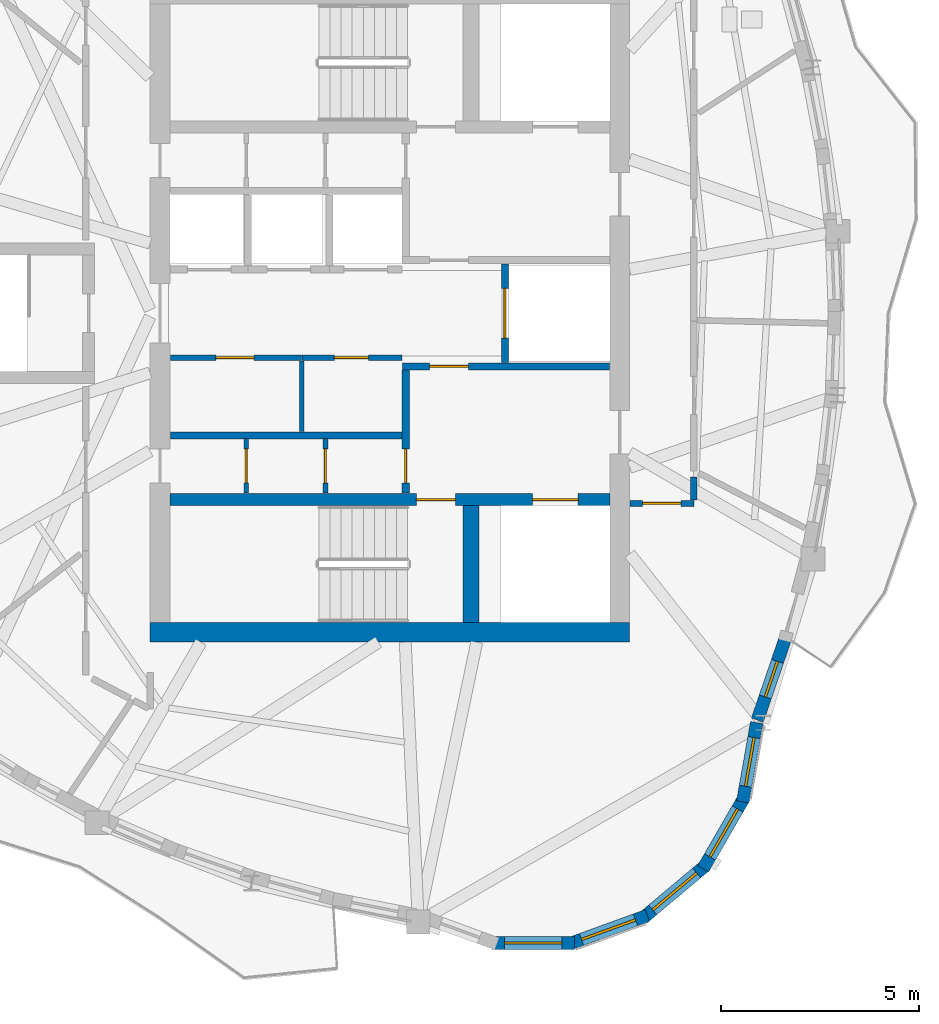
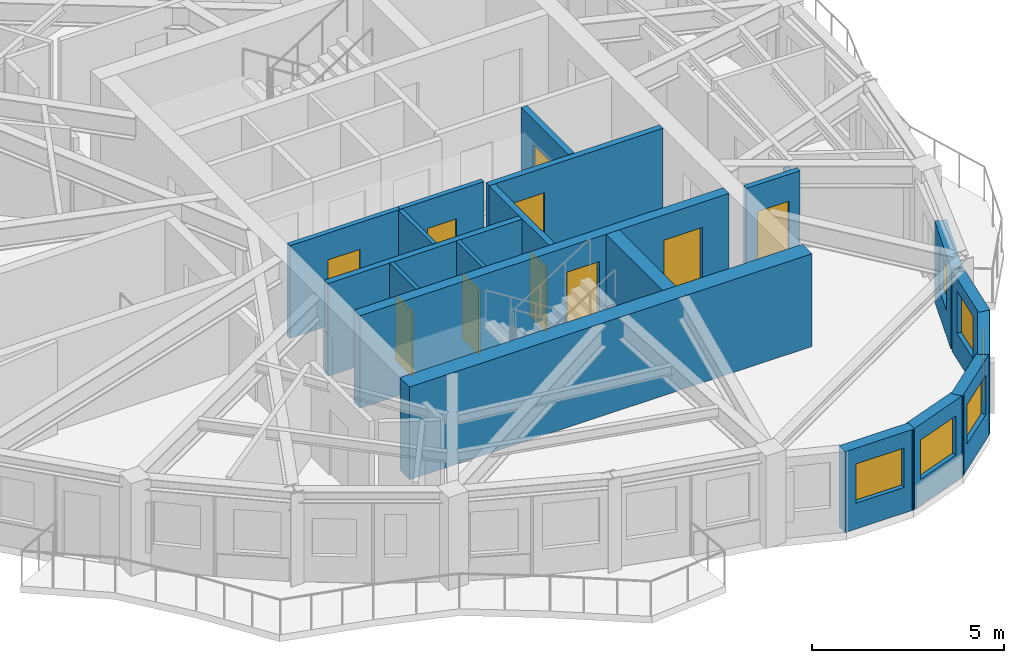
# One storey, part 4 of 12: 20 walls, 10 doors, 6 windows, 16 openings.
"""IFC4 building model written with IfcOpenShell, lengths in metres."""

from ifc_helpers import new_model, si_unit, direction, frame, frame_2d, origin, place, context, subcontext, project, spatial, rectangle, extrude, source, transform, mapped, material, layer, layer_set, type_object, element, fill, save


model = new_model("IFC4")

# Units and contexts
model_context = context("Model", 3, precision=1e-05, world=origin(), true_north=direction((0.0, 1.0)))
body_context = subcontext(model_context, "Body", "Model", "MODEL_VIEW")
ifc_project = project(units=[si_unit("LENGTHUNIT", "METRE"), si_unit("AREAUNIT", "SQUARE_METRE"), si_unit("VOLUMEUNIT", "CUBIC_METRE"), si_unit("PLANEANGLEUNIT", "RADIAN"), si_unit("MASSUNIT", "GRAM", prefix="KILO")], contexts=[model_context])

# Site, building, storey
site_placement = place(None, origin())
site = spatial("IfcSite", under=ifc_project, at=site_placement, CompositionType="ELEMENT")
building_placement = place(site_placement, origin())
building = spatial("IfcBuilding", under=site, at=building_placement, Name="Qafzar Sky-Pleat Residences", CompositionType="ELEMENT")
storey_placement = place(building_placement, frame((0.0, 0.0, 250.0)))
storey = spatial("IfcBuildingStorey", under=building, at=storey_placement, Name="L75", CompositionType="ELEMENT", Elevation=250.0)

# Wall, opening, door
ifc_material_1 = material(Name="Acoustic gypsum plasterboard partition", Category="gypsum")
ifc_layer_1 = layer(ifc_material_1, 0.159912109375)
ifc_layer_set_1 = layer_set([ifc_layer_1], Name="Acoustic gypsum plasterboard partition")
wall_type_1 = type_object("IfcWallType", Name="PART-COR-160", PredefinedType="PARTITIONING", material=ifc_layer_set_1)
wall_1_placement = place(storey_placement, frame((38.02001953125, 21.199951171875, 0.0), z_axis=(0.0, 0.0, 1.0), x_axis=(-1.0, 0.0, 0.0)))
wall_1 = element("IfcWall", 1, at=wall_1_placement, inside=storey, type_object=wall_type_1, Name="L75 Partition Wall PART-L75-PW-011", PredefinedType="PARTITIONING", context=body_context, shape_type="SweptSolid", body=[
    extrude(rectangle(XDim=1.612060546875, YDim=0.159912109375, at=frame_2d((0.80615234375, 0.0))), origin(), (0.0, 0.0, 1.0), 2.949951171875),
])
opening_1_placement = place(wall_1_placement, frame((0.330078125, 0.0, 0.0)))
opening_1 = element("IfcOpeningElement", 2, at=opening_1_placement, cuts=wall_1, Name="Opening ID-06", PredefinedType="OPENING", context=body_context, shape_type="SweptSolid", body=[
    extrude(rectangle(XDim=0.9599609375, YDim=2.10009765625, at=frame_2d((0.47998046875, 1.050048828125))), frame((0.0, 0.08984375, 0.0), z_axis=(0.0, -1.0, 0.0), x_axis=(1.0, 0.0, 0.0)), (0.0, 0.0, 1.0), 0.179931640625),
])
ifc_material_2 = material(Name="Timber-faced fire door", Category="wood")
door_type_1 = type_object("IfcDoorType", Name="DR-STD-960", OperationType="NOTDEFINED", PredefinedType="DOOR", material=ifc_material_2)
shared_shape_1 = source(origin(), body_context, "Body", "SweptSolid", [
    extrude(rectangle(XDim=0.9599609375, YDim=2.10009765625, at=frame_2d((0.47998046875, 1.050048828125))), frame((0.0, 0.02490234375, 0.0), z_axis=(0.0, -1.0, 0.0), x_axis=(1.0, 0.0, 0.0)), (0.0, 0.0, 1.0), 0.050048828125),
])
door_1_placement = place(opening_1_placement, origin())
door_1 = element("IfcDoor", 3, at=door_1_placement, inside=storey, type_object=door_type_1, Name="L75 Academic Seminar Room Door", OperationType="SINGLE_SWING_LEFT", OverallHeight=2.10009765625, OverallWidth=0.9599609375, PredefinedType="DOOR", context=body_context, shape_type="MappedRepresentation", body=[
    mapped(shared_shape_1, transform((0.0, 0.0, 0.0), x_axis=(1.0, 0.0, 0.0), y_axis=(0.0, 1.0, 0.0), z_axis=(0.0, 0.0, 1.0), scale=1.0)),
])
fill(opening_1, door_1)

# Wall
wall_2_placement = place(storey_placement, frame((38.02001953125, 21.2880859375, 0.0), z_axis=(0.0, 0.0, 1.0), x_axis=(0.0, 1.0, 0.0)))
element("IfcWall", 4, at=wall_2_placement, inside=storey, type_object=wall_type_1, Name="L75 Partition Wall PART-L75-PW-029", PredefinedType="PARTITIONING", context=body_context, shape_type="SweptSolid", body=[
    extrude(rectangle(XDim=0.58203125, YDim=0.159912109375, at=frame_2d((0.291015625, 0.0))), origin(), (0.0, 0.0, 1.0), 2.617919921875),
])

# Wall, opening, door
ifc_material_3 = material(Name="Concrete blockwork partition", Category="masonry")
ifc_layer_2 = layer(ifc_material_3, 0.179931640625)
ifc_layer_set_2 = layer_set([ifc_layer_2], Name="Concrete blockwork partition")
wall_type_2 = type_object("IfcWallType", Name="PART-SHAFT-180", PredefinedType="PARTITIONING", material=ifc_layer_set_2)
wall_3_placement = place(storey_placement, frame((30.75, 21.4599609375, 0.0), z_axis=(0.0, 0.0, 1.0), x_axis=(0.0, 1.0, 0.0)))
wall_3 = element("IfcWall", 5, at=wall_3_placement, inside=storey, type_object=wall_type_2, Name="L75 Partition Wall PART-L75-FFL1-W", PredefinedType="PARTITIONING", context=body_context, shape_type="SweptSolid", body=[
    extrude(rectangle(XDim=3.110107421875, YDim=0.179931640625, at=frame_2d((1.55517578125, 0.0))), origin(), (0.0, 0.0, 1.0), 2.949951171875),
])
opening_2_placement = place(wall_3_placement, frame((0.260009765625, 0.0, 0.0)))
opening_2 = element("IfcOpeningElement", 6, at=opening_2_placement, cuts=wall_3, Name="Opening ID-09", PredefinedType="OPENING", context=body_context, shape_type="SweptSolid", body=[
    extrude(rectangle(XDim=0.860107421875, YDim=2.050048828125, at=frame_2d((0.43017578125, 1.02490234375))), frame((0.0, 0.10009765625, 0.0), z_axis=(0.0, -1.0, 0.0), x_axis=(1.0, 0.0, 0.0)), (0.0, 0.0, 1.0), 0.199951171875),
])
door_type_2 = type_object("IfcDoorType", Name="DR-SVC-860", OperationType="NOTDEFINED", PredefinedType="DOOR", material=ifc_material_2)
shared_shape_2 = source(origin(), body_context, "Body", "SweptSolid", [
    extrude(rectangle(XDim=0.860107421875, YDim=2.050048828125, at=frame_2d((0.43017578125, 1.02490234375))), frame((0.0, 0.02490234375, 0.0), z_axis=(0.0, -1.0, 0.0), x_axis=(1.0, 0.0, 0.0)), (0.0, 0.0, 1.0), 0.050048828125),
])
door_2_placement = place(opening_2_placement, origin())
door_2 = element("IfcDoor", 7, at=door_2_placement, inside=storey, type_object=door_type_2, Name="L75 South Core Cupboard Door", OperationType="SINGLE_SWING_RIGHT", OverallHeight=2.050048828125, OverallWidth=0.860107421875, PredefinedType="DOOR", context=body_context, shape_type="MappedRepresentation", body=[
    mapped(shared_shape_2, transform((0.0, 0.0, 0.0), x_axis=(1.0, 0.0, 0.0), y_axis=(0.0, 1.0, 0.0), z_axis=(0.0, 0.0, 1.0), scale=1.0)),
])
fill(opening_2, door_2)

wall_4_placement = place(storey_placement, frame((30.669921875, 24.659912109375, 0.0), z_axis=(0.0, 0.0, 1.0), x_axis=(1.0, 0.0, 0.0)))
wall_4 = element("IfcWall", 8, at=wall_4_placement, inside=storey, type_object=wall_type_2, Name="L75 Partition Wall PART-L75-FFL1-N", PredefinedType="PARTITIONING", context=body_context, shape_type="SweptSolid", body=[
    extrude(rectangle(XDim=5.219970703125, YDim=0.179931640625, at=frame_2d((2.60986328125, 0.0))), origin(), (0.0, 0.0, 1.0), 2.949951171875),
])
opening_3_placement = place(wall_4_placement, frame((0.679931640625, 0.0, 0.0)))
opening_3 = element("IfcOpeningElement", 9, at=opening_3_placement, cuts=wall_4, Name="Opening ID-01", PredefinedType="OPENING", context=body_context, shape_type="SweptSolid", body=[
    extrude(rectangle(XDim=0.97998046875, YDim=2.14990234375, at=frame_2d((0.489990234375, 1.074951171875))), frame((0.0, 0.10009765625, 0.0), z_axis=(0.0, -1.0, 0.0), x_axis=(1.0, 0.0, 0.0)), (0.0, 0.0, 1.0), 0.199951171875),
])
door_type_3 = type_object("IfcDoorType", Name="DR-STAIR-980", OperationType="NOTDEFINED", PredefinedType="DOOR", material=ifc_material_2)
shared_shape_3 = source(origin(), body_context, "Body", "SweptSolid", [
    extrude(rectangle(XDim=0.97998046875, YDim=2.14990234375, at=frame_2d((0.489990234375, 1.074951171875))), frame((0.0, 0.02490234375, 0.0), z_axis=(0.0, -1.0, 0.0), x_axis=(1.0, 0.0, 0.0)), (0.0, 0.0, 1.0), 0.050048828125),
])
door_3_placement = place(opening_3_placement, origin())
door_3 = element("IfcDoor", 10, at=door_3_placement, inside=storey, type_object=door_type_3, Name="L75 Lift Lobby to South Firefighting Lobby Door", OperationType="SINGLE_SWING_LEFT", OverallHeight=2.14990234375, OverallWidth=0.97998046875, PredefinedType="DOOR", context=body_context, shape_type="MappedRepresentation", body=[
    mapped(shared_shape_3, transform((0.0, 0.0, 0.0), x_axis=(1.0, 0.0, 0.0), y_axis=(0.0, 1.0, 0.0), z_axis=(0.0, 0.0, 1.0), scale=1.0)),
])
fill(opening_3, door_3)

wall_5_placement = place(storey_placement, frame((33.25, 24.760009765625, 0.0), z_axis=(0.0, 0.0, 1.0), x_axis=(0.0, 1.0, 0.0)))
wall_5 = element("IfcWall", 11, at=wall_5_placement, inside=storey, type_object=wall_type_2, Name="L75 Partition Wall PART-L75-SV1-W", PredefinedType="PARTITIONING", context=body_context, shape_type="SweptSolid", body=[
    extrude(rectangle(XDim=2.47998046875, YDim=0.179931640625, at=frame_2d((1.239990234375, 0.0))), origin(), (0.0, 0.0, 1.0), 2.949951171875),
])
opening_4_placement = place(wall_5_placement, frame((0.614990234375, 0.0, 0.0)))
opening_4 = element("IfcOpeningElement", 12, at=opening_4_placement, cuts=wall_5, Name="Opening LD-03", PredefinedType="OPENING", context=body_context, shape_type="SweptSolid", body=[
    extrude(rectangle(XDim=1.25, YDim=2.14990234375, at=frame_2d((0.625, 1.074951171875))), frame((0.0, 0.10009765625, 0.0), z_axis=(0.0, -1.0, 0.0), x_axis=(1.0, 0.0, 0.0)), (0.0, 0.0, 1.0), 0.199951171875),
])
ifc_material_4 = material(Name="Stainless steel sliding landing door", Category="steel")
door_type_4 = type_object("IfcDoorType", Name="DR-LIFT-SV", OperationType="DOUBLE_DOOR_SLIDING", PredefinedType="DOOR", material=ifc_material_4)
shared_shape_4 = source(origin(), body_context, "Body", "SweptSolid", [
    extrude(rectangle(XDim=1.25, YDim=2.14990234375, at=frame_2d((0.625, 1.074951171875))), frame((0.0, 0.02490234375, 0.0), z_axis=(0.0, -1.0, 0.0), x_axis=(1.0, 0.0, 0.0)), (0.0, 0.0, 1.0), 0.050048828125),
])
door_4_placement = place(opening_4_placement, origin())
door_4 = element("IfcDoor", 13, at=door_4_placement, inside=storey, type_object=door_type_4, Name="L75 Service Lift SV1 Landing Door", OperationType="DOUBLE_DOOR_SLIDING", OverallHeight=2.14990234375, OverallWidth=1.25, PredefinedType="DOOR", context=body_context, shape_type="MappedRepresentation", body=[
    mapped(shared_shape_4, transform((0.0, 0.0, 0.0), x_axis=(1.0, 0.0, 0.0), y_axis=(0.0, 1.0, 0.0), z_axis=(0.0, 0.0, 1.0), scale=1.0)),
])
fill(opening_4, door_4)

# Walls
wall_6_placement = place(storey_placement, frame((24.81005859375, 22.919921875, 0.0), z_axis=(0.0, 0.0, 1.0), x_axis=(1.0, 0.0, 0.0)))
element("IfcWall", 14, at=wall_6_placement, inside=storey, type_object=wall_type_2, Name="L75 Partition Wall PART-L75-P13-S", PredefinedType="PARTITIONING", context=body_context, shape_type="SweptSolid", body=[
    extrude(rectangle(XDim=5.83984375, YDim=0.179931640625, at=frame_2d((2.919921875, 0.0))), origin(), (0.0, 0.0, 1.0), 2.949951171875),
])
ifc_material_5 = material(Name="Gypsum plasterboard partition", Category="gypsum")
ifc_layer_3 = layer(ifc_material_5, 0.114990234375)
ifc_layer_set_3 = layer_set([ifc_layer_3], Name="Gypsum plasterboard partition")
wall_type_3 = type_object("IfcWallType", Name="PART-SVC-115", PredefinedType="PARTITIONING", material=ifc_layer_set_3)
wall_7_placement = place(storey_placement, frame((28.125, 23.02001953125, 0.0), z_axis=(0.0, 0.0, 1.0), x_axis=(0.0, 1.0, 0.0)))
element("IfcWall", 15, at=wall_7_placement, inside=storey, type_object=wall_type_3, Name="L75 Partition Wall PART-L75-RECLAIM-DIV", PredefinedType="PARTITIONING", context=body_context, shape_type="SweptSolid", body=[
    extrude(rectangle(XDim=1.77001953125, YDim=0.114990234375, at=frame_2d((0.885009765625, 0.0))), origin(), (0.0, 0.0, 1.0), 2.949951171875),
])

# Wall, opening, door
wall_8_placement = place(storey_placement, frame((26.72509765625, 21.4599609375, 0.0), z_axis=(0.0, 0.0, 1.0), x_axis=(0.0, 1.0, 0.0)))
wall_8 = element("IfcWall", 16, at=wall_8_placement, inside=storey, type_object=wall_type_3, Name="L75 Partition Wall PART-L75-KC-SW-1", PredefinedType="PARTITIONING", context=body_context, shape_type="SweptSolid", body=[
    extrude(rectangle(XDim=1.380126953125, YDim=0.114990234375, at=frame_2d((0.68994140625, 0.0))), origin(), (0.0, 0.0, 1.0), 2.949951171875),
])
opening_5_placement = place(wall_8_placement, frame((0.260009765625, 0.0, 0.0)))
opening_5 = element("IfcOpeningElement", 17, at=opening_5_placement, cuts=wall_8, Name="Opening ID-09", PredefinedType="OPENING", context=body_context, shape_type="SweptSolid", body=[
    extrude(rectangle(XDim=0.860107421875, YDim=2.050048828125, at=frame_2d((0.43017578125, 1.02490234375))), frame((0.0, 0.0673828125, 0.0), z_axis=(0.0, -1.0, 0.0), x_axis=(1.0, 0.0, 0.0)), (0.0, 0.0, 1.0), 0.135009765625),
])
door_5_placement = place(opening_5_placement, origin())
door_5 = element("IfcDoor", 18, at=door_5_placement, inside=storey, type_object=door_type_2, Name="L75 Core South Cupboard 1 Door", OperationType="SINGLE_SWING_RIGHT", OverallHeight=2.050048828125, OverallWidth=0.860107421875, PredefinedType="DOOR", context=body_context, shape_type="MappedRepresentation", body=[
    mapped(shared_shape_2, transform((0.0, 0.0, 0.0), x_axis=(1.0, 0.0, 0.0), y_axis=(0.0, 1.0, 0.0), z_axis=(0.0, 0.0, 1.0), scale=1.0)),
])
fill(opening_5, door_5)

wall_9_placement = place(storey_placement, frame((28.72509765625, 21.4599609375, 0.0), z_axis=(0.0, 0.0, 1.0), x_axis=(0.0, 1.0, 0.0)))
wall_9 = element("IfcWall", 19, at=wall_9_placement, inside=storey, type_object=wall_type_3, Name="L75 Partition Wall PART-L75-KC-SW-2", PredefinedType="PARTITIONING", context=body_context, shape_type="SweptSolid", body=[
    extrude(rectangle(XDim=1.380126953125, YDim=0.114990234375, at=frame_2d((0.68994140625, 0.0))), origin(), (0.0, 0.0, 1.0), 2.949951171875),
])
opening_6_placement = place(wall_9_placement, frame((0.260009765625, 0.0, 0.0)))
opening_6 = element("IfcOpeningElement", 20, at=opening_6_placement, cuts=wall_9, Name="Opening ID-09", PredefinedType="OPENING", context=body_context, shape_type="SweptSolid", body=[
    extrude(rectangle(XDim=0.860107421875, YDim=2.050048828125, at=frame_2d((0.43017578125, 1.02490234375))), frame((0.0, 0.0673828125, 0.0), z_axis=(0.0, -1.0, 0.0), x_axis=(1.0, 0.0, 0.0)), (0.0, 0.0, 1.0), 0.135009765625),
])
door_6_placement = place(opening_6_placement, origin())
door_6 = element("IfcDoor", 21, at=door_6_placement, inside=storey, type_object=door_type_2, Name="L75 Core South Cupboard 2 Door", OperationType="SINGLE_SWING_RIGHT", OverallHeight=2.050048828125, OverallWidth=0.860107421875, PredefinedType="DOOR", context=body_context, shape_type="MappedRepresentation", body=[
    mapped(shared_shape_2, transform((0.0, 0.0, 0.0), x_axis=(1.0, 0.0, 0.0), y_axis=(0.0, 1.0, 0.0), z_axis=(0.0, 0.0, 1.0), scale=1.0)),
])
fill(opening_6, door_6)

ifc_layer_4 = layer(ifc_material_1, 0.14501953125)
ifc_layer_set_4 = layer_set([ifc_layer_4], Name="Acoustic gypsum plasterboard partition")
wall_type_4 = type_object("IfcWallType", Name="PART-UNIT-145", PredefinedType="PARTITIONING", material=ifc_layer_set_4)
wall_10_placement = place(storey_placement, frame((24.81005859375, 24.8798828125, 0.0), z_axis=(0.0, 0.0, 1.0), x_axis=(1.0, 0.0, 0.0)))
wall_10 = element("IfcWall", 22, at=wall_10_placement, inside=storey, type_object=wall_type_4, Name="L75 Partition Wall PART-L75-RECLAIM-N1", PredefinedType="PARTITIONING", context=body_context, shape_type="SweptSolid", body=[
    extrude(rectangle(XDim=3.31005859375, YDim=0.14501953125, at=frame_2d((1.655029296875, 0.0))), origin(), (0.0, 0.0, 1.0), 2.949951171875),
])
opening_7_placement = place(wall_10_placement, frame((1.14990234375, 0.0, 0.0)))
opening_7 = element("IfcOpeningElement", 23, at=opening_7_placement, cuts=wall_10, Name="Opening ID-06", PredefinedType="OPENING", context=body_context, shape_type="SweptSolid", body=[
    extrude(rectangle(XDim=0.9599609375, YDim=2.10009765625, at=frame_2d((0.47998046875, 1.050048828125))), frame((0.0, 0.08251953125, 0.0), z_axis=(0.0, -1.0, 0.0), x_axis=(1.0, 0.0, 0.0)), (0.0, 0.0, 1.0), 0.1650390625),
])
door_7_placement = place(opening_7_placement, origin())
door_7 = element("IfcDoor", 24, at=door_7_placement, inside=storey, type_object=door_type_1, Name="L75 Reclaimed Quiet Study Room Door", OperationType="SINGLE_SWING_RIGHT", OverallHeight=2.10009765625, OverallWidth=0.9599609375, PredefinedType="DOOR", context=body_context, shape_type="MappedRepresentation", body=[
    mapped(shared_shape_1, transform((0.0, 0.0, 0.0), x_axis=(1.0, 0.0, 0.0), y_axis=(0.0, 1.0, 0.0), z_axis=(0.0, 0.0, 1.0), scale=1.0)),
])
fill(opening_7, door_7)

wall_11_placement = place(storey_placement, frame((28.1298828125, 24.8798828125, 0.0), z_axis=(0.0, 0.0, 1.0), x_axis=(1.0, 0.0, 0.0)))
wall_11 = element("IfcWall", 25, at=wall_11_placement, inside=storey, type_object=wall_type_4, Name="L75 Partition Wall PART-L75-RECLAIM-N2", PredefinedType="PARTITIONING", context=body_context, shape_type="SweptSolid", body=[
    extrude(rectangle(XDim=2.52001953125, YDim=0.14501953125, at=frame_2d((1.260009765625, 0.0))), origin(), (0.0, 0.0, 1.0), 2.949951171875),
])
opening_8_placement = place(wall_11_placement, frame((0.820068359375, 0.0, 0.0)))
opening_8 = element("IfcOpeningElement", 26, at=opening_8_placement, cuts=wall_11, Name="Opening ID-09", PredefinedType="OPENING", context=body_context, shape_type="SweptSolid", body=[
    extrude(rectangle(XDim=0.860107421875, YDim=2.050048828125, at=frame_2d((0.43017578125, 1.02490234375))), frame((0.0, 0.08251953125, 0.0), z_axis=(0.0, -1.0, 0.0), x_axis=(1.0, 0.0, 0.0)), (0.0, 0.0, 1.0), 0.1650390625),
])
door_8_placement = place(opening_8_placement, origin())
door_8 = element("IfcDoor", 27, at=door_8_placement, inside=storey, type_object=door_type_2, Name="L75 Reclaimed Linen Cupboard Door", OperationType="SINGLE_SWING_LEFT", OverallHeight=2.050048828125, OverallWidth=0.860107421875, PredefinedType="DOOR", context=body_context, shape_type="MappedRepresentation", body=[
    mapped(shared_shape_2, transform((0.0, 0.0, 0.0), x_axis=(1.0, 0.0, 0.0), y_axis=(0.0, 1.0, 0.0), z_axis=(0.0, 0.0, 1.0), scale=1.0)),
])
fill(opening_8, door_8)

# Wall, opening, window
ifc_material_6 = material(Name="Precast concrete C40/50 with honed Riyadh limestone", Category="concrete")
ifc_layer_5 = layer(ifc_material_6, 0.320068359375)
ifc_layer_set_5 = layer_set([ifc_layer_5], Name="Precast concrete C40/50 with honed Riyadh limestone")
wall_type_5 = type_object("IfcWallType", Name="WALL-EXT-320", PredefinedType="SOLIDWALL", material=ifc_layer_set_5)
wall_12_placement = place(storey_placement, frame((32.92236328125, 10.112060546875, 0.0), z_axis=(0.0, 0.0, 1.0), x_axis=(1.0, 0.0, 0.0)))
wall_12 = element("IfcWall", 28, at=wall_12_placement, inside=storey, type_object=wall_type_5, Name="L75 Limestone Facade Wall 18", PredefinedType="SOLIDWALL", context=body_context, shape_type="SweptSolid", body=[
    extrude(rectangle(XDim=2.09033203125, YDim=0.320068359375, at=frame_2d((1.045166015625, 0.0))), origin(), (0.0, 0.0, 1.0), 2.570068359375),
])
opening_9_placement = place(wall_12_placement, frame((0.3203125, 0.0, 0.820068359375)))
opening_9 = element("IfcOpeningElement", 29, at=opening_9_placement, cuts=wall_12, Name="Opening WN-15", PredefinedType="OPENING", context=body_context, shape_type="SweptSolid", body=[
    extrude(rectangle(XDim=1.449951171875, YDim=1.25, at=frame_2d((0.72509765625, 0.625))), frame((0.0, 0.169921875, 0.0), z_axis=(0.0, -1.0, 0.0), x_axis=(1.0, 0.0, 0.0)), (0.0, 0.0, 1.0), 0.340087890625),
])
ifc_material_7 = material(Name="Solar-control low-E glass in bronze aluminium frame", Category="glass")
window_type_1 = type_object("IfcWindowType", Name="WIN-15", PartitioningType="SINGLE_PANEL", PredefinedType="WINDOW", material=ifc_material_7)
shared_shape_5 = source(origin(), body_context, "Body", "SweptSolid", [
    extrude(rectangle(XDim=1.449951171875, YDim=1.25, at=frame_2d((0.72509765625, 0.625))), frame((0.0, 0.030029296875, 0.0), z_axis=(0.0, -1.0, 0.0), x_axis=(1.0, 0.0, 0.0)), (0.0, 0.0, 1.0), 0.06005859375),
])
window_1_placement = place(opening_9_placement, origin())
window_1 = element("IfcWindow", 30, at=window_1_placement, inside=storey, type_object=window_type_1, Name="L75 Punched Facade Window 18", OverallHeight=1.25, OverallWidth=1.449951171875, PartitioningType="SINGLE_PANEL", PredefinedType="WINDOW", context=body_context, shape_type="MappedRepresentation", body=[
    mapped(shared_shape_5, transform((0.0, 0.0, 0.0), x_axis=(1.0, 0.0, 0.0), y_axis=(0.0, 1.0, 0.0), z_axis=(0.0, 0.0, 1.0), scale=1.0)),
])
fill(opening_9, window_1)

wall_13_placement = place(storey_placement, frame((34.88427734375, 10.089599609375, 0.0), z_axis=(0.0, 0.0, 1.0), x_axis=(0.93973543134, 0.341902499383, 0.0)))
wall_13 = element("IfcWall", 31, at=wall_13_placement, inside=storey, type_object=wall_type_5, Name="L75 Limestone Facade Wall 19", PredefinedType="SOLIDWALL", context=body_context, shape_type="SweptSolid", body=[
    extrude(rectangle(XDim=2.090087890625, YDim=0.320068359375, at=frame_2d((1.044921875, 0.0))), origin(), (0.0, 0.0, 1.0), 2.570068359375),
])
opening_10_placement = place(wall_13_placement, frame((0.320068359375, 0.0, 0.820068359375)))
opening_10 = element("IfcOpeningElement", 32, at=opening_10_placement, cuts=wall_13, Name="Opening WN-15", PredefinedType="OPENING", context=body_context, shape_type="SweptSolid", body=[
    extrude(rectangle(XDim=1.449951171875, YDim=1.25, at=frame_2d((0.72509765625, 0.625))), frame((0.0, 0.169921875, 0.0), z_axis=(0.0, -1.0, 0.0), x_axis=(1.0, 0.0, 0.0)), (0.0, 0.0, 1.0), 0.340087890625),
])
window_2_placement = place(opening_10_placement, origin())
window_2 = element("IfcWindow", 33, at=window_2_placement, inside=storey, type_object=window_type_1, Name="L75 Punched Facade Window 19", OverallHeight=1.25, OverallWidth=1.449951171875, PartitioningType="SINGLE_PANEL", PredefinedType="WINDOW", context=body_context, shape_type="MappedRepresentation", body=[
    mapped(shared_shape_5, transform((0.0, 0.0, 0.0), x_axis=(1.0, 0.0, 0.0), y_axis=(0.0, 1.0, 0.0), z_axis=(0.0, 0.0, 1.0), scale=1.0)),
])
fill(opening_10, window_2)

wall_14_placement = place(storey_placement, frame((36.735595703125, 10.739013671875, 0.0), z_axis=(0.0, 0.0, 1.0), x_axis=(0.766024572719, 0.642811289563, 0.0)))
wall_14 = element("IfcWall", 34, at=wall_14_placement, inside=storey, type_object=wall_type_5, Name="L75 Limestone Facade Wall 20", PredefinedType="SOLIDWALL", context=body_context, shape_type="SweptSolid", body=[
    extrude(rectangle(XDim=2.09033203125, YDim=0.320068359375, at=frame_2d((1.045166015625, 0.0))), origin(), (0.0, 0.0, 1.0), 2.570068359375),
])
opening_11_placement = place(wall_14_placement, frame((0.3203125, 0.0, 0.820068359375)))
opening_11 = element("IfcOpeningElement", 35, at=opening_11_placement, cuts=wall_14, Name="Opening WN-15", PredefinedType="OPENING", context=body_context, shape_type="SweptSolid", body=[
    extrude(rectangle(XDim=1.449951171875, YDim=1.25, at=frame_2d((0.72509765625, 0.625))), frame((0.0, 0.169921875, 0.0), z_axis=(0.0, -1.0, 0.0), x_axis=(1.0, 0.0, 0.0)), (0.0, 0.0, 1.0), 0.340087890625),
])
window_3_placement = place(opening_11_placement, origin())
window_3 = element("IfcWindow", 36, at=window_3_placement, inside=storey, type_object=window_type_1, Name="L75 Punched Facade Window 20", OverallHeight=1.25, OverallWidth=1.449951171875, PartitioningType="SINGLE_PANEL", PredefinedType="WINDOW", context=body_context, shape_type="MappedRepresentation", body=[
    mapped(shared_shape_5, transform((0.0, 0.0, 0.0), x_axis=(1.0, 0.0, 0.0), y_axis=(0.0, 1.0, 0.0), z_axis=(0.0, 0.0, 1.0), scale=1.0)),
])
fill(opening_11, window_3)

wall_15_placement = place(storey_placement, frame((38.2529296875, 11.98291015625, 0.0), z_axis=(0.0, 0.0, 1.0), x_axis=(0.499995423472, 0.866028046028, 0.0)))
wall_15 = element("IfcWall", 37, at=wall_15_placement, inside=storey, type_object=wall_type_5, Name="L75 Limestone Facade Wall 21", PredefinedType="SOLIDWALL", context=body_context, shape_type="SweptSolid", body=[
    extrude(rectangle(XDim=2.09033203125, YDim=0.320068359375, at=frame_2d((1.045166015625, 0.0))), origin(), (0.0, 0.0, 1.0), 2.570068359375),
])
opening_12_placement = place(wall_15_placement, frame((0.34521484375, 0.0, 0.820068359375)))
opening_12 = element("IfcOpeningElement", 38, at=opening_12_placement, cuts=wall_15, Name="Opening WN-10", PredefinedType="OPENING", context=body_context, shape_type="SweptSolid", body=[
    extrude(rectangle(XDim=1.39990234375, YDim=1.35009765625, at=frame_2d((0.699951171875, 0.675048828125))), frame((0.0, 0.169921875, 0.0), z_axis=(0.0, -1.0, 0.0), x_axis=(1.0, 0.0, 0.0)), (0.0, 0.0, 1.0), 0.340087890625),
])
window_type_2 = type_object("IfcWindowType", Name="WIN-10", PartitioningType="SINGLE_PANEL", PredefinedType="WINDOW", material=ifc_material_7)
shared_shape_6 = source(origin(), body_context, "Body", "SweptSolid", [
    extrude(rectangle(XDim=1.39990234375, YDim=1.35009765625, at=frame_2d((0.699951171875, 0.675048828125))), frame((0.0, 0.030029296875, 0.0), z_axis=(0.0, -1.0, 0.0), x_axis=(1.0, 0.0, 0.0)), (0.0, 0.0, 1.0), 0.06005859375),
])
window_4_placement = place(opening_12_placement, origin())
window_4 = element("IfcWindow", 39, at=window_4_placement, inside=storey, type_object=window_type_2, Name="L75 Punched Facade Window 21", OverallHeight=1.35009765625, OverallWidth=1.39990234375, PartitioningType="SINGLE_PANEL", PredefinedType="WINDOW", context=body_context, shape_type="MappedRepresentation", body=[
    mapped(shared_shape_6, transform((0.0, 0.0, 0.0), x_axis=(1.0, 0.0, 0.0), y_axis=(0.0, 1.0, 0.0), z_axis=(0.0, 0.0, 1.0), scale=1.0)),
])
fill(opening_12, window_4)

wall_16_placement = place(storey_placement, frame((39.25341796875, 13.670654296875, 0.0), z_axis=(0.0, 0.0, 1.0), x_axis=(0.17370309897, 0.984798067326, 0.0)))
wall_16 = element("IfcWall", 40, at=wall_16_placement, inside=storey, type_object=wall_type_5, Name="L75 Limestone Facade Wall 22", PredefinedType="SOLIDWALL", context=body_context, shape_type="SweptSolid", body=[
    extrude(rectangle(XDim=2.032470703125, YDim=0.320068359375, at=frame_2d((1.01611328125, 0.0))), origin(), (0.0, 0.0, 1.0), 2.570068359375),
])
opening_13_placement = place(wall_16_placement, frame((0.401123046875, 0.0, 0.820068359375)))
opening_13 = element("IfcOpeningElement", 41, at=opening_13_placement, cuts=wall_16, Name="Opening WN-11", PredefinedType="OPENING", context=body_context, shape_type="SweptSolid", body=[
    extrude(rectangle(XDim=1.25, YDim=1.35009765625, at=frame_2d((0.625, 0.675048828125))), frame((0.0, 0.169921875, 0.0), z_axis=(0.0, -1.0, 0.0), x_axis=(1.0, 0.0, 0.0)), (0.0, 0.0, 1.0), 0.340087890625),
])
window_type_3 = type_object("IfcWindowType", Name="WIN-11", PartitioningType="SINGLE_PANEL", PredefinedType="WINDOW", material=ifc_material_7)
shared_shape_7 = source(origin(), body_context, "Body", "SweptSolid", [
    extrude(rectangle(XDim=1.25, YDim=1.35009765625, at=frame_2d((0.625, 0.675048828125))), frame((0.0, 0.030029296875, 0.0), z_axis=(0.0, -1.0, 0.0), x_axis=(1.0, 0.0, 0.0)), (0.0, 0.0, 1.0), 0.06005859375),
])
window_5_placement = place(opening_13_placement, origin())
window_5 = element("IfcWindow", 42, at=window_5_placement, inside=storey, type_object=window_type_3, Name="L75 Punched Facade Window 22", OverallHeight=1.35009765625, OverallWidth=1.25, PartitioningType="SINGLE_PANEL", PredefinedType="WINDOW", context=body_context, shape_type="MappedRepresentation", body=[
    mapped(shared_shape_7, transform((0.0, 0.0, 0.0), x_axis=(1.0, 0.0, 0.0), y_axis=(0.0, 1.0, 0.0), z_axis=(0.0, 0.0, 1.0), scale=1.0)),
])
fill(opening_13, window_5)

wall_17_placement = place(storey_placement, frame((39.62255859375, 15.734619140625, 0.0), z_axis=(0.0, 0.0, 1.0), x_axis=(0.323632845992, 0.946182741861, 0.0)))
wall_17 = element("IfcWall", 43, at=wall_17_placement, inside=storey, type_object=wall_type_5, Name="L75 Limestone Facade Wall 23", PredefinedType="SOLIDWALL", context=body_context, shape_type="SweptSolid", body=[
    extrude(rectangle(XDim=2.202880859375, YDim=0.320068359375, at=frame_2d((1.1015625, 0.0))), origin(), (0.0, 0.0, 1.0), 2.570068359375),
])
opening_14_placement = place(wall_17_placement, frame((0.616455078125, 0.0, 0.820068359375)))
opening_14 = element("IfcOpeningElement", 44, at=opening_14_placement, cuts=wall_17, Name="Opening WN-12", PredefinedType="OPENING", context=body_context, shape_type="SweptSolid", body=[
    extrude(rectangle(XDim=0.949951171875, YDim=1.35009765625, at=frame_2d((0.47509765625, 0.675048828125))), frame((0.0, 0.169921875, 0.0), z_axis=(0.0, -1.0, 0.0), x_axis=(1.0, 0.0, 0.0)), (0.0, 0.0, 1.0), 0.340087890625),
])
window_type_4 = type_object("IfcWindowType", Name="WIN-12", PartitioningType="SINGLE_PANEL", PredefinedType="WINDOW", material=ifc_material_7)
shared_shape_8 = source(origin(), body_context, "Body", "SweptSolid", [
    extrude(rectangle(XDim=0.949951171875, YDim=1.35009765625, at=frame_2d((0.47509765625, 0.675048828125))), frame((0.0, 0.030029296875, 0.0), z_axis=(0.0, -1.0, 0.0), x_axis=(1.0, 0.0, 0.0)), (0.0, 0.0, 1.0), 0.06005859375),
])
window_6_placement = place(opening_14_placement, origin())
window_6 = element("IfcWindow", 45, at=window_6_placement, inside=storey, type_object=window_type_4, Name="L75 Punched Facade Window 23", OverallHeight=1.35009765625, OverallWidth=0.949951171875, PartitioningType="SINGLE_PANEL", PredefinedType="WINDOW", context=body_context, shape_type="MappedRepresentation", body=[
    mapped(shared_shape_8, transform((0.0, 0.0, 0.0), x_axis=(1.0, 0.0, 0.0), y_axis=(0.0, 1.0, 0.0), z_axis=(0.0, 0.0, 1.0), scale=1.0)),
])
fill(opening_14, window_6)

# Wall, openings, doors
ifc_material_8 = material(Name="Concrete C60/75", Category="concrete")
ifc_layer_6 = layer(ifc_material_8, 0.300048828125)
ifc_layer_set_6 = layer_set([ifc_layer_6], Name="Concrete C60/75")
wall_type_6 = type_object("IfcWallType", Name="WALL-SHEAR-300", PredefinedType="SHEAR", material=ifc_layer_set_6)
wall_18_placement = place(storey_placement, frame((24.800048828125, 21.300048828125, 0.0), z_axis=(0.0, 0.0, 1.0), x_axis=(1.0, 0.0, 0.0)))
wall_18 = element("IfcWall", 46, at=wall_18_placement, inside=storey, type_object=wall_type_6, Name="L75 Stair ST1 and FF1 Shaft North Wall", PredefinedType="SHEAR", context=body_context, shape_type="SweptSolid", body=[
    extrude(rectangle(XDim=11.099853515625, YDim=0.300048828125, at=frame_2d((5.5498046875, 0.0))), origin(), (0.0, 0.0, 1.0), 2.949951171875),
])
opening_15_placement = place(wall_18_placement, frame((6.219970703125, 0.0, 0.0)))
opening_15 = element("IfcOpeningElement", 47, at=opening_15_placement, cuts=wall_18, Name="Opening ID-01", PredefinedType="OPENING", context=body_context, shape_type="SweptSolid", body=[
    extrude(rectangle(XDim=0.97998046875, YDim=2.14990234375, at=frame_2d((0.489990234375, 1.074951171875))), frame((0.0, 0.16015625, 0.0), z_axis=(0.0, -1.0, 0.0), x_axis=(1.0, 0.0, 0.0)), (0.0, 0.0, 1.0), 0.320068359375),
])
opening_16_placement = place(wall_18_placement, frame((9.14990234375, 0.0, 0.0)))
opening_16 = element("IfcOpeningElement", 48, at=opening_16_placement, cuts=wall_18, Name="Opening LD-02", PredefinedType="OPENING", context=body_context, shape_type="SweptSolid", body=[
    extrude(rectangle(XDim=1.14990234375, YDim=2.14990234375, at=frame_2d((0.574951171875, 1.074951171875))), frame((0.0, 0.16015625, 0.0), z_axis=(0.0, -1.0, 0.0), x_axis=(1.0, 0.0, 0.0)), (0.0, 0.0, 1.0), 0.320068359375),
])
door_9_placement = place(opening_15_placement, origin())
door_9 = element("IfcDoor", 49, at=door_9_placement, inside=storey, type_object=door_type_3, Name="L75 Stair ST1 Fire Door", OperationType="SINGLE_SWING_LEFT", OverallHeight=2.14990234375, OverallWidth=0.97998046875, PredefinedType="DOOR", context=body_context, shape_type="MappedRepresentation", body=[
    mapped(shared_shape_3, transform((0.0, 0.0, 0.0), x_axis=(1.0, 0.0, 0.0), y_axis=(0.0, 1.0, 0.0), z_axis=(0.0, 0.0, 1.0), scale=1.0)),
])
fill(opening_15, door_9)
door_type_5 = type_object("IfcDoorType", Name="DR-LIFT-FF", OperationType="DOUBLE_DOOR_SLIDING", PredefinedType="DOOR", material=ifc_material_4)
shared_shape_9 = source(origin(), body_context, "Body", "SweptSolid", [
    extrude(rectangle(XDim=1.14990234375, YDim=2.14990234375, at=frame_2d((0.574951171875, 1.074951171875))), frame((0.0, 0.02490234375, 0.0), z_axis=(0.0, -1.0, 0.0), x_axis=(1.0, 0.0, 0.0)), (0.0, 0.0, 1.0), 0.050048828125),
])
door_10_placement = place(opening_16_placement, origin())
door_10 = element("IfcDoor", 50, at=door_10_placement, inside=storey, type_object=door_type_5, Name="L75 Firefighting Lift FF1 Landing Door", OperationType="DOUBLE_DOOR_SLIDING", OverallHeight=2.14990234375, OverallWidth=1.14990234375, PredefinedType="DOOR", context=body_context, shape_type="MappedRepresentation", body=[
    mapped(shared_shape_9, transform((0.0, 0.0, 0.0), x_axis=(1.0, 0.0, 0.0), y_axis=(0.0, 1.0, 0.0), z_axis=(0.0, 0.0, 1.0), scale=1.0)),
])
fill(opening_16, door_10)

# Walls
ifc_layer_7 = layer(ifc_material_8, 0.39990234375)
ifc_layer_set_7 = layer_set([ifc_layer_7], Name="Concrete C60/75")
wall_type_7 = type_object("IfcWallType", Name="WALL-SHEAR-400", PredefinedType="SHEAR", material=ifc_layer_set_7)
wall_19_placement = place(storey_placement, frame((32.39990234375, 18.199951171875, 0.0), z_axis=(0.0, 0.0, 1.0), x_axis=(0.0, 1.0, 0.0)))
element("IfcWall", 51, at=wall_19_placement, inside=storey, type_object=wall_type_7, Name="L75 Stair ST1 East Dividing Wall", PredefinedType="SHEAR", context=body_context, shape_type="SweptSolid", body=[
    extrude(rectangle(XDim=2.949951171875, YDim=0.39990234375, at=frame_2d((1.47509765625, 0.0))), origin(), (0.0, 0.0, 1.0), 2.949951171875),
])
ifc_layer_8 = layer(ifc_material_8, 0.5)
ifc_layer_set_8 = layer_set([ifc_layer_8], Name="Concrete C60/75")
wall_type_8 = type_object("IfcWallType", Name="WALL-SHEAR-500", PredefinedType="SHEAR", material=ifc_layer_set_8)
wall_20_placement = place(storey_placement, frame((24.300048828125, 17.949951171875, 0.0), z_axis=(0.0, 0.0, 1.0), x_axis=(1.0, 0.0, 0.0)))
element("IfcWall", 52, at=wall_20_placement, inside=storey, type_object=wall_type_8, Name="L75 CORE wall S", PredefinedType="SHEAR", context=body_context, shape_type="SweptSolid", body=[
    extrude(rectangle(XDim=12.099853515625, YDim=0.5, at=frame_2d((6.0498046875, 0.0))), origin(), (0.0, 0.0, 1.0), 2.949951171875),
])

save(model, "model.ifc")
